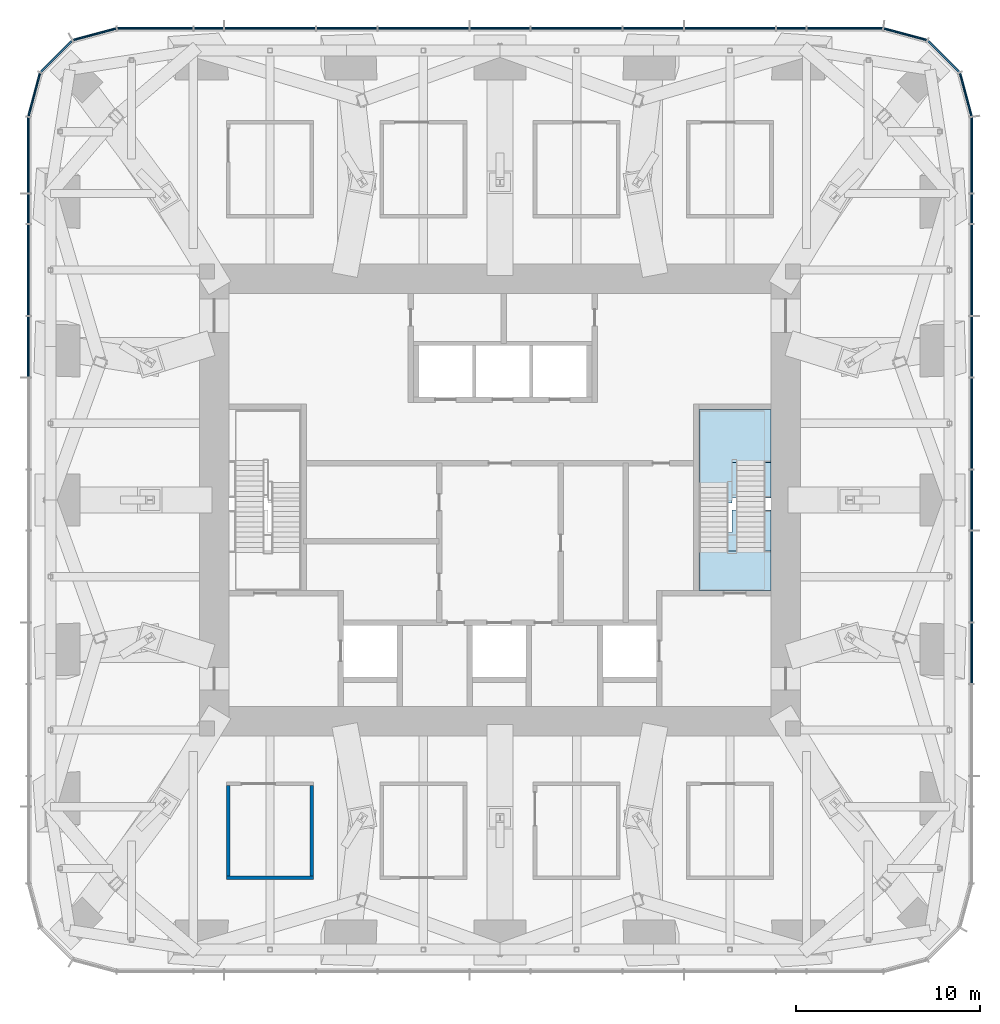
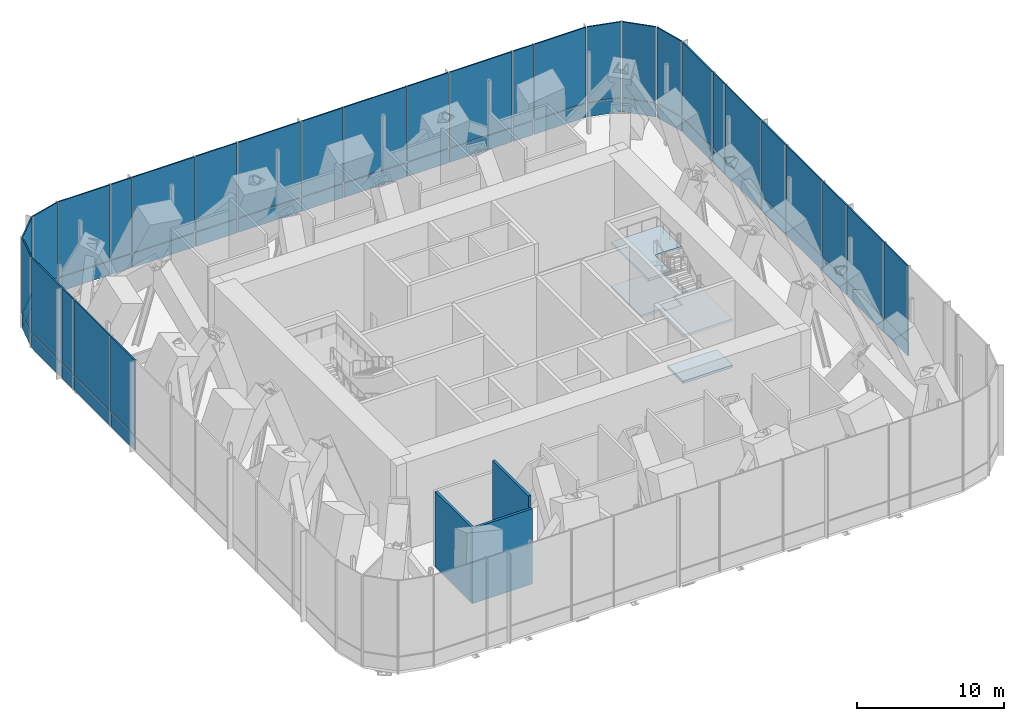
# One storey, part 11 of 16: 58 plates, 4 slabs, 3 walls, 6 elements without a shape of their own.
"""IFC4 building model written with IfcOpenShell, lengths in metres."""

from ifc_helpers import new_model, si_unit, direction, frame, frame_2d, origin, origin_2d, place, context, subcontext, project, spatial, polyline, rectangle, outline, extrude, material, layer, layer_set, type_object, element, aggregate, save


model = new_model("IFC4")

# Units and contexts
model_context = context("Model", 3, precision=1e-05, world=origin(), true_north=direction((0.0, 1.0)))
body_context = subcontext(model_context, "Body", "Model", "MODEL_VIEW")
ifc_project = project(units=[si_unit("LENGTHUNIT", "METRE"), si_unit("AREAUNIT", "SQUARE_METRE"), si_unit("VOLUMEUNIT", "CUBIC_METRE"), si_unit("PLANEANGLEUNIT", "RADIAN"), si_unit("MASSUNIT", "GRAM", prefix="KILO")], contexts=[model_context])

# Site, building, storey
site_placement = place(None, origin())
site = spatial("IfcSite", under=ifc_project, at=site_placement, CompositionType="ELEMENT")
building_placement = place(site_placement, origin())
building = spatial("IfcBuilding", under=site, at=building_placement, Name="Khuree Lantern Residences", CompositionType="ELEMENT")
storey_placement = place(building_placement, frame((0.0, 0.0, 278.25)))
storey = spatial("IfcBuildingStorey", under=building, at=storey_placement, Name="L70", CompositionType="ELEMENT", Elevation=278.25)

# Curtain wall, plates
ifc_material_1 = material(Name="Bronze anodised aluminium", Category="aluminium")
curtain_wall_type = type_object("IfcCurtainWallType", Name="CW-G PLANT STOREY LOUVRED CURTAIN WALL", PredefinedType="USERDEFINED", material=ifc_material_1)
curtain_wall_1_placement = place(storey_placement, origin())
curtain_wall_1 = element("IfcCurtainWall", 1, at=curtain_wall_1_placement, inside=storey, type_object=curtain_wall_type, Name="L70 EAST FACE CURTAIN WALL", ObjectType="Louvred curtain wall", PredefinedType="USERDEFINED")
ifc_material_2 = material(Name="Bronze anodised aluminium louvre blades", Category="aluminium")
ifc_layer_1 = layer(ifc_material_2, 0.10009765625)
ifc_layer_set_1 = layer_set([ifc_layer_1], Name="LOUVRE PANEL P5")
plate_type_1 = type_object("IfcPlateType", Name="LOUVRE PANEL P5", PredefinedType="CURTAIN_PANEL", material=ifc_layer_set_1)
plate_1_placement = place(storey_placement, frame((25.60009765625, -8.320068359375, 1.240234375), z_axis=(0.0, 0.0, 1.0), x_axis=(0.0, 1.0, 0.0)))
plate_1 = element("IfcPlate", 2, at=plate_1_placement, type_object=plate_type_1, Name="L70 EAST FACE PANEL 7.2", PredefinedType="CURTAIN_PANEL", context=body_context, shape_type="SweptSolid", body=[
    extrude(rectangle(XDim=3.248046875, YDim=0.10009765625, at=origin_2d()), origin(), (0.0, 0.0, 1.0), 6.260009765625),
])
plate_2_placement = place(storey_placement, frame((25.60009765625, -4.159912109375, 1.240234375), z_axis=(0.0, 0.0, 1.0), x_axis=(0.0, 1.0, 0.0)))
plate_2 = element("IfcPlate", 3, at=plate_2_placement, type_object=plate_type_1, Name="L70 EAST FACE PANEL 8.2", PredefinedType="CURTAIN_PANEL", context=body_context, shape_type="SweptSolid", body=[
    extrude(rectangle(XDim=4.912109375, YDim=0.10009765625, at=origin_2d()), origin(), (0.0, 0.0, 1.0), 6.260009765625),
])
plate_3_placement = place(storey_placement, frame((25.60009765625, 0.0, 1.240234375), z_axis=(0.0, 0.0, 1.0), x_axis=(0.0, 1.0, 0.0)))
plate_3 = element("IfcPlate", 4, at=plate_3_placement, type_object=plate_type_1, Name="L70 EAST FACE PANEL 9.2", PredefinedType="CURTAIN_PANEL", context=body_context, shape_type="SweptSolid", body=[
    extrude(rectangle(XDim=3.248046875, YDim=0.10009765625, at=origin_2d()), origin(), (0.0, 0.0, 1.0), 6.260009765625),
])
plate_4_placement = place(storey_placement, frame((25.60009765625, 4.159912109375, 1.240234375), z_axis=(0.0, 0.0, 1.0), x_axis=(0.0, 1.0, 0.0)))
plate_4 = element("IfcPlate", 5, at=plate_4_placement, type_object=plate_type_1, Name="L70 EAST FACE PANEL 10.2", PredefinedType="CURTAIN_PANEL", context=body_context, shape_type="SweptSolid", body=[
    extrude(rectangle(XDim=4.912109375, YDim=0.10009765625, at=origin_2d()), origin(), (0.0, 0.0, 1.0), 6.260009765625),
])
plate_5_placement = place(storey_placement, frame((25.60009765625, 8.320068359375, 1.240234375), z_axis=(0.0, 0.0, 1.0), x_axis=(0.0, 1.0, 0.0)))
plate_5 = element("IfcPlate", 6, at=plate_5_placement, type_object=plate_type_1, Name="L70 EAST FACE PANEL 11.2", PredefinedType="CURTAIN_PANEL", context=body_context, shape_type="SweptSolid", body=[
    extrude(rectangle(XDim=3.248046875, YDim=0.10009765625, at=origin_2d()), origin(), (0.0, 0.0, 1.0), 6.260009765625),
])
plate_6_placement = place(storey_placement, frame((25.60009765625, 12.47998046875, 1.240234375), z_axis=(0.0, 0.0, 1.0), x_axis=(0.0, 1.0, 0.0)))
plate_6 = element("IfcPlate", 7, at=plate_6_placement, type_object=plate_type_1, Name="L70 EAST FACE PANEL 12.2", PredefinedType="CURTAIN_PANEL", context=body_context, shape_type="SweptSolid", body=[
    extrude(rectangle(XDim=4.912109375, YDim=0.10009765625, at=origin_2d()), origin(), (0.0, 0.0, 1.0), 6.260009765625),
])
plate_7_placement = place(storey_placement, frame((25.60009765625, 15.80810546875, 1.240234375), z_axis=(0.0, 0.0, 1.0), x_axis=(0.0, 1.0, 0.0)))
plate_7 = element("IfcPlate", 8, at=plate_7_placement, type_object=plate_type_1, Name="L70 EAST FACE PANEL 13.2", PredefinedType="CURTAIN_PANEL", context=body_context, shape_type="SweptSolid", body=[
    extrude(rectangle(XDim=1.583984375, YDim=0.10009765625, at=origin_2d()), origin(), (0.0, 0.0, 1.0), 6.260009765625),
])
plate_8_placement = place(storey_placement, frame((25.60009765625, 18.716552734375, 1.240234375), z_axis=(0.0, 0.0, 1.0), x_axis=(0.0, 1.0, 0.0)))
plate_8 = element("IfcPlate", 9, at=plate_8_placement, type_object=plate_type_1, Name="L70 EAST FACE PANEL 14.2", PredefinedType="CURTAIN_PANEL", context=body_context, shape_type="SweptSolid", body=[
    extrude(rectangle(XDim=4.072998046875, YDim=0.10009765625, at=origin_2d()), origin(), (0.0, 0.0, 1.0), 6.260009765625),
])

curtain_wall_2_placement = place(storey_placement, origin())
curtain_wall_2 = element("IfcCurtainWall", 10, at=curtain_wall_2_placement, inside=storey, type_object=curtain_wall_type, Name="L70 NORTH-EAST CORNER CURTAIN WALL", ObjectType="Louvred curtain wall", PredefinedType="USERDEFINED")
plate_9_placement = place(storey_placement, frame((25.279541015625, 21.99609375, 1.240234375), z_axis=(0.0, 0.0, 1.0), x_axis=(-0.258819021888, 0.965925832509, 0.0)))
plate_9 = element("IfcPlate", 11, at=plate_9_placement, type_object=plate_type_1, Name="L70 NORTH-EAST CORNER PANEL 15.2", PredefinedType="CURTAIN_PANEL", context=body_context, shape_type="SweptSolid", body=[
    extrude(rectangle(XDim=2.3828125, YDim=0.10009765625, at=origin_2d()), origin(), (0.0, 0.0, 1.0), 6.260009765625),
])
plate_10_placement = place(storey_placement, frame((24.078369140625, 24.078369140625, 1.240234375), z_axis=(0.0, 0.0, 1.0), x_axis=(-0.707106781187, 0.707106781187, 0.0)))
plate_10 = element("IfcPlate", 12, at=plate_10_placement, type_object=plate_type_1, Name="L70 NORTH-EAST CORNER PANEL 16.2", PredefinedType="CURTAIN_PANEL", context=body_context, shape_type="SweptSolid", body=[
    extrude(rectangle(XDim=2.375, YDim=0.10009765625, at=origin_2d()), origin(), (0.0, 0.0, 1.0), 6.260009765625),
])
plate_11_placement = place(storey_placement, frame((21.99609375, 25.279541015625, 1.240234375), z_axis=(0.0, 0.0, 1.0), x_axis=(-0.965925832509, 0.258819021888, 0.0)))
plate_11 = element("IfcPlate", 13, at=plate_11_placement, type_object=plate_type_1, Name="L70 NORTH-EAST CORNER PANEL 17.2", PredefinedType="CURTAIN_PANEL", context=body_context, shape_type="SweptSolid", body=[
    extrude(rectangle(XDim=2.3828125, YDim=0.10009765625, at=origin_2d()), origin(), (0.0, 0.0, 1.0), 6.260009765625),
])

curtain_wall_3_placement = place(storey_placement, origin())
curtain_wall_3 = element("IfcCurtainWall", 14, at=curtain_wall_3_placement, inside=storey, type_object=curtain_wall_type, Name="L70 NORTH FACE CURTAIN WALL", ObjectType="Louvred curtain wall", PredefinedType="USERDEFINED")
plate_12_placement = place(storey_placement, frame((18.716552734375, 25.60009765625, 1.240234375), z_axis=(0.0, 0.0, 1.0), x_axis=(-1.0, 0.0, 0.0)))
plate_12 = element("IfcPlate", 15, at=plate_12_placement, type_object=plate_type_1, Name="L70 NORTH FACE PANEL 18.2", PredefinedType="CURTAIN_PANEL", context=body_context, shape_type="SweptSolid", body=[
    extrude(rectangle(XDim=4.072998046875, YDim=0.10009765625, at=origin_2d()), origin(), (0.0, 0.0, 1.0), 6.260009765625),
])
plate_13_placement = place(storey_placement, frame((15.80810546875, 25.60009765625, 1.240234375), z_axis=(0.0, 0.0, 1.0), x_axis=(-1.0, 0.0, 0.0)))
plate_13 = element("IfcPlate", 16, at=plate_13_placement, type_object=plate_type_1, Name="L70 NORTH FACE PANEL 19.2", PredefinedType="CURTAIN_PANEL", context=body_context, shape_type="SweptSolid", body=[
    extrude(rectangle(XDim=1.583984375, YDim=0.10009765625, at=origin_2d()), origin(), (0.0, 0.0, 1.0), 6.260009765625),
])
plate_14_placement = place(storey_placement, frame((12.47998046875, 25.60009765625, 1.240234375), z_axis=(0.0, 0.0, 1.0), x_axis=(-1.0, 0.0, 0.0)))
plate_14 = element("IfcPlate", 17, at=plate_14_placement, type_object=plate_type_1, Name="L70 NORTH FACE PANEL 20.2", PredefinedType="CURTAIN_PANEL", context=body_context, shape_type="SweptSolid", body=[
    extrude(rectangle(XDim=4.912109375, YDim=0.10009765625, at=origin_2d()), origin(), (0.0, 0.0, 1.0), 6.260009765625),
])
plate_15_placement = place(storey_placement, frame((8.320068359375, 25.60009765625, 1.240234375), z_axis=(0.0, 0.0, 1.0), x_axis=(-1.0, 0.0, 0.0)))
plate_15 = element("IfcPlate", 18, at=plate_15_placement, type_object=plate_type_1, Name="L70 NORTH FACE PANEL 21.2", PredefinedType="CURTAIN_PANEL", context=body_context, shape_type="SweptSolid", body=[
    extrude(rectangle(XDim=3.248046875, YDim=0.10009765625, at=origin_2d()), origin(), (0.0, 0.0, 1.0), 6.260009765625),
])
plate_16_placement = place(storey_placement, frame((4.159912109375, 25.60009765625, 1.240234375), z_axis=(0.0, 0.0, 1.0), x_axis=(-1.0, 0.0, 0.0)))
plate_16 = element("IfcPlate", 19, at=plate_16_placement, type_object=plate_type_1, Name="L70 NORTH FACE PANEL 22.2", PredefinedType="CURTAIN_PANEL", context=body_context, shape_type="SweptSolid", body=[
    extrude(rectangle(XDim=4.912109375, YDim=0.10009765625, at=origin_2d()), origin(), (0.0, 0.0, 1.0), 6.260009765625),
])
plate_17_placement = place(storey_placement, frame((0.0, 25.60009765625, 1.240234375), z_axis=(0.0, 0.0, 1.0), x_axis=(-1.0, 0.0, 0.0)))
plate_17 = element("IfcPlate", 20, at=plate_17_placement, type_object=plate_type_1, Name="L70 NORTH FACE PANEL 23.2", PredefinedType="CURTAIN_PANEL", context=body_context, shape_type="SweptSolid", body=[
    extrude(rectangle(XDim=3.248046875, YDim=0.10009765625, at=origin_2d()), origin(), (0.0, 0.0, 1.0), 6.260009765625),
])
plate_18_placement = place(storey_placement, frame((-4.159912109375, 25.60009765625, 1.240234375), z_axis=(0.0, 0.0, 1.0), x_axis=(-1.0, 0.0, 0.0)))
plate_18 = element("IfcPlate", 21, at=plate_18_placement, type_object=plate_type_1, Name="L70 NORTH FACE PANEL 24.2", PredefinedType="CURTAIN_PANEL", context=body_context, shape_type="SweptSolid", body=[
    extrude(rectangle(XDim=4.912109375, YDim=0.10009765625, at=origin_2d()), origin(), (0.0, 0.0, 1.0), 6.260009765625),
])
plate_19_placement = place(storey_placement, frame((-8.320068359375, 25.60009765625, 1.240234375), z_axis=(0.0, 0.0, 1.0), x_axis=(-1.0, 0.0, 0.0)))
plate_19 = element("IfcPlate", 22, at=plate_19_placement, type_object=plate_type_1, Name="L70 NORTH FACE PANEL 25.2", PredefinedType="CURTAIN_PANEL", context=body_context, shape_type="SweptSolid", body=[
    extrude(rectangle(XDim=3.248046875, YDim=0.10009765625, at=origin_2d()), origin(), (0.0, 0.0, 1.0), 6.260009765625),
])
plate_20_placement = place(storey_placement, frame((-12.47998046875, 25.60009765625, 1.240234375), z_axis=(0.0, 0.0, 1.0), x_axis=(-1.0, 0.0, 0.0)))
plate_20 = element("IfcPlate", 23, at=plate_20_placement, type_object=plate_type_1, Name="L70 NORTH FACE PANEL 26.2", PredefinedType="CURTAIN_PANEL", context=body_context, shape_type="SweptSolid", body=[
    extrude(rectangle(XDim=4.912109375, YDim=0.10009765625, at=origin_2d()), origin(), (0.0, 0.0, 1.0), 6.260009765625),
])
plate_21_placement = place(storey_placement, frame((-15.80810546875, 25.60009765625, 1.240234375), z_axis=(0.0, 0.0, 1.0), x_axis=(-1.0, 0.0, 0.0)))
plate_21 = element("IfcPlate", 24, at=plate_21_placement, type_object=plate_type_1, Name="L70 NORTH FACE PANEL 27.2", PredefinedType="CURTAIN_PANEL", context=body_context, shape_type="SweptSolid", body=[
    extrude(rectangle(XDim=1.583984375, YDim=0.10009765625, at=origin_2d()), origin(), (0.0, 0.0, 1.0), 6.260009765625),
])
plate_22_placement = place(storey_placement, frame((-18.716552734375, 25.60009765625, 1.240234375), z_axis=(0.0, 0.0, 1.0), x_axis=(-1.0, 0.0, 0.0)))
plate_22 = element("IfcPlate", 25, at=plate_22_placement, type_object=plate_type_1, Name="L70 NORTH FACE PANEL 28.2", PredefinedType="CURTAIN_PANEL", context=body_context, shape_type="SweptSolid", body=[
    extrude(rectangle(XDim=4.072998046875, YDim=0.10009765625, at=origin_2d()), origin(), (0.0, 0.0, 1.0), 6.260009765625),
])

curtain_wall_4_placement = place(storey_placement, origin())
curtain_wall_4 = element("IfcCurtainWall", 26, at=curtain_wall_4_placement, inside=storey, type_object=curtain_wall_type, Name="L70 NORTH-WEST CORNER CURTAIN WALL", ObjectType="Louvred curtain wall", PredefinedType="USERDEFINED")
plate_23_placement = place(storey_placement, frame((-21.99609375, 25.279541015625, 1.240234375), z_axis=(0.0, 0.0, 1.0), x_axis=(-0.965925832509, -0.258819021888, 0.0)))
plate_23 = element("IfcPlate", 27, at=plate_23_placement, type_object=plate_type_1, Name="L70 NORTH-WEST CORNER PANEL 29.2", PredefinedType="CURTAIN_PANEL", context=body_context, shape_type="SweptSolid", body=[
    extrude(rectangle(XDim=2.3828125, YDim=0.10009765625, at=origin_2d()), origin(), (0.0, 0.0, 1.0), 6.260009765625),
])
plate_24_placement = place(storey_placement, frame((-24.078369140625, 24.078369140625, 1.240234375), z_axis=(0.0, 0.0, 1.0), x_axis=(-0.707106781187, -0.707106781187, 0.0)))
plate_24 = element("IfcPlate", 28, at=plate_24_placement, type_object=plate_type_1, Name="L70 NORTH-WEST CORNER PANEL 30.2", PredefinedType="CURTAIN_PANEL", context=body_context, shape_type="SweptSolid", body=[
    extrude(rectangle(XDim=2.375, YDim=0.10009765625, at=origin_2d()), origin(), (0.0, 0.0, 1.0), 6.260009765625),
])
plate_25_placement = place(storey_placement, frame((-25.279541015625, 21.99609375, 1.240234375), z_axis=(0.0, 0.0, 1.0), x_axis=(-0.258819021888, -0.965925832509, 0.0)))
plate_25 = element("IfcPlate", 29, at=plate_25_placement, type_object=plate_type_1, Name="L70 NORTH-WEST CORNER PANEL 31.2", PredefinedType="CURTAIN_PANEL", context=body_context, shape_type="SweptSolid", body=[
    extrude(rectangle(XDim=2.3828125, YDim=0.10009765625, at=origin_2d()), origin(), (0.0, 0.0, 1.0), 6.260009765625),
])

curtain_wall_5_placement = place(storey_placement, origin())
curtain_wall_5 = element("IfcCurtainWall", 30, at=curtain_wall_5_placement, inside=storey, type_object=curtain_wall_type, Name="L70 WEST FACE CURTAIN WALL", ObjectType="Louvred curtain wall", PredefinedType="USERDEFINED")
plate_26_placement = place(storey_placement, frame((-25.60009765625, 18.716552734375, 1.240234375), z_axis=(0.0, 0.0, 1.0), x_axis=(0.0, -1.0, 0.0)))
plate_26 = element("IfcPlate", 31, at=plate_26_placement, type_object=plate_type_1, Name="L70 WEST FACE PANEL 32.2", PredefinedType="CURTAIN_PANEL", context=body_context, shape_type="SweptSolid", body=[
    extrude(rectangle(XDim=4.072998046875, YDim=0.10009765625, at=origin_2d()), origin(), (0.0, 0.0, 1.0), 6.260009765625),
])
plate_27_placement = place(storey_placement, frame((-25.60009765625, 15.80810546875, 1.240234375), z_axis=(0.0, 0.0, 1.0), x_axis=(0.0, -1.0, 0.0)))
plate_27 = element("IfcPlate", 32, at=plate_27_placement, type_object=plate_type_1, Name="L70 WEST FACE PANEL 33.2", PredefinedType="CURTAIN_PANEL", context=body_context, shape_type="SweptSolid", body=[
    extrude(rectangle(XDim=1.583984375, YDim=0.10009765625, at=origin_2d()), origin(), (0.0, 0.0, 1.0), 6.260009765625),
])
plate_28_placement = place(storey_placement, frame((-25.60009765625, 12.47998046875, 1.240234375), z_axis=(0.0, 0.0, 1.0), x_axis=(0.0, -1.0, 0.0)))
plate_28 = element("IfcPlate", 33, at=plate_28_placement, type_object=plate_type_1, Name="L70 WEST FACE PANEL 34.2", PredefinedType="CURTAIN_PANEL", context=body_context, shape_type="SweptSolid", body=[
    extrude(rectangle(XDim=4.912109375, YDim=0.10009765625, at=origin_2d()), origin(), (0.0, 0.0, 1.0), 6.260009765625),
])
plate_29_placement = place(storey_placement, frame((-25.60009765625, 8.320068359375, 1.240234375), z_axis=(0.0, 0.0, 1.0), x_axis=(0.0, -1.0, 0.0)))
plate_29 = element("IfcPlate", 34, at=plate_29_placement, type_object=plate_type_1, Name="L70 WEST FACE PANEL 35.2", PredefinedType="CURTAIN_PANEL", context=body_context, shape_type="SweptSolid", body=[
    extrude(rectangle(XDim=3.248046875, YDim=0.10009765625, at=origin_2d()), origin(), (0.0, 0.0, 1.0), 6.260009765625),
])

# Plate
ifc_material_3 = material(Name="Bronze anodised aluminium insulated spandrel", Category="aluminium")
ifc_layer_2 = layer(ifc_material_3, 0.080078125)
ifc_layer_set_2 = layer_set([ifc_layer_2], Name="PLANT SPANDREL PANEL P6")
plate_type_2 = type_object("IfcPlateType", Name="PLANT SPANDREL PANEL P6", PredefinedType="CURTAIN_PANEL", material=ifc_layer_set_2)
plate_30_placement = place(storey_placement, frame((25.60009765625, -8.320068359375, 0.0), z_axis=(0.0, 0.0, 1.0), x_axis=(0.0, 1.0, 0.0)))
plate_30 = element("IfcPlate", 35, at=plate_30_placement, type_object=plate_type_2, Name="L70 EAST FACE PANEL 7.1", PredefinedType="CURTAIN_PANEL", context=body_context, shape_type="SweptSolid", body=[
    extrude(rectangle(XDim=3.248046875, YDim=0.080078125, at=origin_2d()), origin(), (0.0, 0.0, 1.0), 1.159912109375),
])

plate_31_placement = place(storey_placement, frame((25.60009765625, -4.159912109375, 0.0), z_axis=(0.0, 0.0, 1.0), x_axis=(0.0, 1.0, 0.0)))
plate_31 = element("IfcPlate", 36, at=plate_31_placement, type_object=plate_type_2, Name="L70 EAST FACE PANEL 8.1", PredefinedType="CURTAIN_PANEL", context=body_context, shape_type="SweptSolid", body=[
    extrude(rectangle(XDim=4.912109375, YDim=0.080078125, at=origin_2d()), origin(), (0.0, 0.0, 1.0), 1.159912109375),
])

plate_32_placement = place(storey_placement, frame((25.60009765625, 0.0, 0.0), z_axis=(0.0, 0.0, 1.0), x_axis=(0.0, 1.0, 0.0)))
plate_32 = element("IfcPlate", 37, at=plate_32_placement, type_object=plate_type_2, Name="L70 EAST FACE PANEL 9.1", PredefinedType="CURTAIN_PANEL", context=body_context, shape_type="SweptSolid", body=[
    extrude(rectangle(XDim=3.248046875, YDim=0.080078125, at=origin_2d()), origin(), (0.0, 0.0, 1.0), 1.159912109375),
])

plate_33_placement = place(storey_placement, frame((25.60009765625, 4.159912109375, 0.0), z_axis=(0.0, 0.0, 1.0), x_axis=(0.0, 1.0, 0.0)))
plate_33 = element("IfcPlate", 38, at=plate_33_placement, type_object=plate_type_2, Name="L70 EAST FACE PANEL 10.1", PredefinedType="CURTAIN_PANEL", context=body_context, shape_type="SweptSolid", body=[
    extrude(rectangle(XDim=4.912109375, YDim=0.080078125, at=origin_2d()), origin(), (0.0, 0.0, 1.0), 1.159912109375),
])

plate_34_placement = place(storey_placement, frame((25.60009765625, 8.320068359375, 0.0), z_axis=(0.0, 0.0, 1.0), x_axis=(0.0, 1.0, 0.0)))
plate_34 = element("IfcPlate", 39, at=plate_34_placement, type_object=plate_type_2, Name="L70 EAST FACE PANEL 11.1", PredefinedType="CURTAIN_PANEL", context=body_context, shape_type="SweptSolid", body=[
    extrude(rectangle(XDim=3.248046875, YDim=0.080078125, at=origin_2d()), origin(), (0.0, 0.0, 1.0), 1.159912109375),
])

plate_35_placement = place(storey_placement, frame((25.60009765625, 12.47998046875, 0.0), z_axis=(0.0, 0.0, 1.0), x_axis=(0.0, 1.0, 0.0)))
plate_35 = element("IfcPlate", 40, at=plate_35_placement, type_object=plate_type_2, Name="L70 EAST FACE PANEL 12.1", PredefinedType="CURTAIN_PANEL", context=body_context, shape_type="SweptSolid", body=[
    extrude(rectangle(XDim=4.912109375, YDim=0.080078125, at=origin_2d()), origin(), (0.0, 0.0, 1.0), 1.159912109375),
])

plate_36_placement = place(storey_placement, frame((25.60009765625, 15.80810546875, 0.0), z_axis=(0.0, 0.0, 1.0), x_axis=(0.0, 1.0, 0.0)))
plate_36 = element("IfcPlate", 41, at=plate_36_placement, type_object=plate_type_2, Name="L70 EAST FACE PANEL 13.1", PredefinedType="CURTAIN_PANEL", context=body_context, shape_type="SweptSolid", body=[
    extrude(rectangle(XDim=1.583984375, YDim=0.080078125, at=origin_2d()), origin(), (0.0, 0.0, 1.0), 1.159912109375),
])

plate_37_placement = place(storey_placement, frame((25.60009765625, 18.71728515625, 0.0), z_axis=(0.0, 0.0, 1.0), x_axis=(0.0, 1.0, 0.0)))
plate_37 = element("IfcPlate", 42, at=plate_37_placement, type_object=plate_type_2, Name="L70 EAST FACE PANEL 14.1", PredefinedType="CURTAIN_PANEL", context=body_context, shape_type="SweptSolid", body=[
    extrude(rectangle(XDim=4.074462890625, YDim=0.080078125, at=origin_2d()), origin(), (0.0, 0.0, 1.0), 1.159912109375),
])

aggregate(curtain_wall_1, [plate_30, plate_1, plate_31, plate_2, plate_32, plate_3, plate_33, plate_4, plate_34, plate_5, plate_35, plate_6, plate_36, plate_7, plate_37, plate_8])

plate_38_placement = place(storey_placement, frame((25.279296875, 21.996826171875, 0.0), z_axis=(0.0, 0.0, 1.0), x_axis=(-0.258819021888, 0.965925832509, 0.0)))
plate_38 = element("IfcPlate", 43, at=plate_38_placement, type_object=plate_type_2, Name="L70 NORTH-EAST CORNER PANEL 15.1", PredefinedType="CURTAIN_PANEL", context=body_context, shape_type="SweptSolid", body=[
    extrude(rectangle(XDim=2.386962890625, YDim=0.080078125, at=origin_2d()), origin(), (0.0, 0.0, 1.0), 1.159912109375),
])

plate_39_placement = place(storey_placement, frame((24.078369140625, 24.078369140625, 0.0), z_axis=(0.0, 0.0, 1.0), x_axis=(-0.707106781187, 0.707106781187, 0.0)))
plate_39 = element("IfcPlate", 44, at=plate_39_placement, type_object=plate_type_2, Name="L70 NORTH-EAST CORNER PANEL 16.1", PredefinedType="CURTAIN_PANEL", context=body_context, shape_type="SweptSolid", body=[
    extrude(rectangle(XDim=2.38037109375, YDim=0.080078125, at=origin_2d()), origin(), (0.0, 0.0, 1.0), 1.159912109375),
])

plate_40_placement = place(storey_placement, frame((21.996826171875, 25.279296875, 0.0), z_axis=(0.0, 0.0, 1.0), x_axis=(-0.965925832509, 0.258819021888, 0.0)))
plate_40 = element("IfcPlate", 45, at=plate_40_placement, type_object=plate_type_2, Name="L70 NORTH-EAST CORNER PANEL 17.1", PredefinedType="CURTAIN_PANEL", context=body_context, shape_type="SweptSolid", body=[
    extrude(rectangle(XDim=2.386962890625, YDim=0.080078125, at=origin_2d()), origin(), (0.0, 0.0, 1.0), 1.159912109375),
])

aggregate(curtain_wall_2, [plate_38, plate_9, plate_39, plate_10, plate_40, plate_11])

plate_41_placement = place(storey_placement, frame((18.71728515625, 25.60009765625, 0.0), z_axis=(0.0, 0.0, 1.0), x_axis=(-1.0, 0.0, 0.0)))
plate_41 = element("IfcPlate", 46, at=plate_41_placement, type_object=plate_type_2, Name="L70 NORTH FACE PANEL 18.1", PredefinedType="CURTAIN_PANEL", context=body_context, shape_type="SweptSolid", body=[
    extrude(rectangle(XDim=4.074462890625, YDim=0.080078125, at=origin_2d()), origin(), (0.0, 0.0, 1.0), 1.159912109375),
])

plate_42_placement = place(storey_placement, frame((15.80810546875, 25.60009765625, 0.0), z_axis=(0.0, 0.0, 1.0), x_axis=(-1.0, 0.0, 0.0)))
plate_42 = element("IfcPlate", 47, at=plate_42_placement, type_object=plate_type_2, Name="L70 NORTH FACE PANEL 19.1", PredefinedType="CURTAIN_PANEL", context=body_context, shape_type="SweptSolid", body=[
    extrude(rectangle(XDim=1.583984375, YDim=0.080078125, at=origin_2d()), origin(), (0.0, 0.0, 1.0), 1.159912109375),
])

plate_43_placement = place(storey_placement, frame((12.47998046875, 25.60009765625, 0.0), z_axis=(0.0, 0.0, 1.0), x_axis=(-1.0, 0.0, 0.0)))
plate_43 = element("IfcPlate", 48, at=plate_43_placement, type_object=plate_type_2, Name="L70 NORTH FACE PANEL 20.1", PredefinedType="CURTAIN_PANEL", context=body_context, shape_type="SweptSolid", body=[
    extrude(rectangle(XDim=4.912109375, YDim=0.080078125, at=origin_2d()), origin(), (0.0, 0.0, 1.0), 1.159912109375),
])

plate_44_placement = place(storey_placement, frame((8.320068359375, 25.60009765625, 0.0), z_axis=(0.0, 0.0, 1.0), x_axis=(-1.0, 0.0, 0.0)))
plate_44 = element("IfcPlate", 49, at=plate_44_placement, type_object=plate_type_2, Name="L70 NORTH FACE PANEL 21.1", PredefinedType="CURTAIN_PANEL", context=body_context, shape_type="SweptSolid", body=[
    extrude(rectangle(XDim=3.248046875, YDim=0.080078125, at=origin_2d()), origin(), (0.0, 0.0, 1.0), 1.159912109375),
])

plate_45_placement = place(storey_placement, frame((4.159912109375, 25.60009765625, 0.0), z_axis=(0.0, 0.0, 1.0), x_axis=(-1.0, 0.0, 0.0)))
plate_45 = element("IfcPlate", 50, at=plate_45_placement, type_object=plate_type_2, Name="L70 NORTH FACE PANEL 22.1", PredefinedType="CURTAIN_PANEL", context=body_context, shape_type="SweptSolid", body=[
    extrude(rectangle(XDim=4.912109375, YDim=0.080078125, at=origin_2d()), origin(), (0.0, 0.0, 1.0), 1.159912109375),
])

plate_46_placement = place(storey_placement, frame((0.0, 25.60009765625, 0.0), z_axis=(0.0, 0.0, 1.0), x_axis=(-1.0, 0.0, 0.0)))
plate_46 = element("IfcPlate", 51, at=plate_46_placement, type_object=plate_type_2, Name="L70 NORTH FACE PANEL 23.1", PredefinedType="CURTAIN_PANEL", context=body_context, shape_type="SweptSolid", body=[
    extrude(rectangle(XDim=3.248046875, YDim=0.080078125, at=origin_2d()), origin(), (0.0, 0.0, 1.0), 1.159912109375),
])

plate_47_placement = place(storey_placement, frame((-4.159912109375, 25.60009765625, 0.0), z_axis=(0.0, 0.0, 1.0), x_axis=(-1.0, 0.0, 0.0)))
plate_47 = element("IfcPlate", 52, at=plate_47_placement, type_object=plate_type_2, Name="L70 NORTH FACE PANEL 24.1", PredefinedType="CURTAIN_PANEL", context=body_context, shape_type="SweptSolid", body=[
    extrude(rectangle(XDim=4.912109375, YDim=0.080078125, at=origin_2d()), origin(), (0.0, 0.0, 1.0), 1.159912109375),
])

plate_48_placement = place(storey_placement, frame((-8.320068359375, 25.60009765625, 0.0), z_axis=(0.0, 0.0, 1.0), x_axis=(-1.0, 0.0, 0.0)))
plate_48 = element("IfcPlate", 53, at=plate_48_placement, type_object=plate_type_2, Name="L70 NORTH FACE PANEL 25.1", PredefinedType="CURTAIN_PANEL", context=body_context, shape_type="SweptSolid", body=[
    extrude(rectangle(XDim=3.248046875, YDim=0.080078125, at=origin_2d()), origin(), (0.0, 0.0, 1.0), 1.159912109375),
])

plate_49_placement = place(storey_placement, frame((-12.47998046875, 25.60009765625, 0.0), z_axis=(0.0, 0.0, 1.0), x_axis=(-1.0, 0.0, 0.0)))
plate_49 = element("IfcPlate", 54, at=plate_49_placement, type_object=plate_type_2, Name="L70 NORTH FACE PANEL 26.1", PredefinedType="CURTAIN_PANEL", context=body_context, shape_type="SweptSolid", body=[
    extrude(rectangle(XDim=4.912109375, YDim=0.080078125, at=origin_2d()), origin(), (0.0, 0.0, 1.0), 1.159912109375),
])

plate_50_placement = place(storey_placement, frame((-15.80810546875, 25.60009765625, 0.0), z_axis=(0.0, 0.0, 1.0), x_axis=(-1.0, 0.0, 0.0)))
plate_50 = element("IfcPlate", 55, at=plate_50_placement, type_object=plate_type_2, Name="L70 NORTH FACE PANEL 27.1", PredefinedType="CURTAIN_PANEL", context=body_context, shape_type="SweptSolid", body=[
    extrude(rectangle(XDim=1.583984375, YDim=0.080078125, at=origin_2d()), origin(), (0.0, 0.0, 1.0), 1.159912109375),
])

plate_51_placement = place(storey_placement, frame((-18.71728515625, 25.60009765625, 0.0), z_axis=(0.0, 0.0, 1.0), x_axis=(-1.0, 0.0, 0.0)))
plate_51 = element("IfcPlate", 56, at=plate_51_placement, type_object=plate_type_2, Name="L70 NORTH FACE PANEL 28.1", PredefinedType="CURTAIN_PANEL", context=body_context, shape_type="SweptSolid", body=[
    extrude(rectangle(XDim=4.074462890625, YDim=0.080078125, at=origin_2d()), origin(), (0.0, 0.0, 1.0), 1.159912109375),
])

aggregate(curtain_wall_3, [plate_41, plate_12, plate_42, plate_13, plate_43, plate_14, plate_44, plate_15, plate_45, plate_16, plate_46, plate_17, plate_47, plate_18, plate_48, plate_19, plate_49, plate_20, plate_50, plate_21, plate_51, plate_22])

plate_52_placement = place(storey_placement, frame((-21.996826171875, 25.279296875, 0.0), z_axis=(0.0, 0.0, 1.0), x_axis=(-0.965925832509, -0.258819021888, 0.0)))
plate_52 = element("IfcPlate", 57, at=plate_52_placement, type_object=plate_type_2, Name="L70 NORTH-WEST CORNER PANEL 29.1", PredefinedType="CURTAIN_PANEL", context=body_context, shape_type="SweptSolid", body=[
    extrude(rectangle(XDim=2.386962890625, YDim=0.080078125, at=origin_2d()), origin(), (0.0, 0.0, 1.0), 1.159912109375),
])

plate_53_placement = place(storey_placement, frame((-24.078369140625, 24.078369140625, 0.0), z_axis=(0.0, 0.0, 1.0), x_axis=(-0.707106781187, -0.707106781187, 0.0)))
plate_53 = element("IfcPlate", 58, at=plate_53_placement, type_object=plate_type_2, Name="L70 NORTH-WEST CORNER PANEL 30.1", PredefinedType="CURTAIN_PANEL", context=body_context, shape_type="SweptSolid", body=[
    extrude(rectangle(XDim=2.38037109375, YDim=0.080078125, at=origin_2d()), origin(), (0.0, 0.0, 1.0), 1.159912109375),
])

plate_54_placement = place(storey_placement, frame((-25.279296875, 21.996826171875, 0.0), z_axis=(0.0, 0.0, 1.0), x_axis=(-0.258819021888, -0.965925832509, 0.0)))
plate_54 = element("IfcPlate", 59, at=plate_54_placement, type_object=plate_type_2, Name="L70 NORTH-WEST CORNER PANEL 31.1", PredefinedType="CURTAIN_PANEL", context=body_context, shape_type="SweptSolid", body=[
    extrude(rectangle(XDim=2.386962890625, YDim=0.080078125, at=origin_2d()), origin(), (0.0, 0.0, 1.0), 1.159912109375),
])

aggregate(curtain_wall_4, [plate_52, plate_23, plate_53, plate_24, plate_54, plate_25])

plate_55_placement = place(storey_placement, frame((-25.60009765625, 18.71728515625, 0.0), z_axis=(0.0, 0.0, 1.0), x_axis=(0.0, -1.0, 0.0)))
plate_55 = element("IfcPlate", 60, at=plate_55_placement, type_object=plate_type_2, Name="L70 WEST FACE PANEL 32.1", PredefinedType="CURTAIN_PANEL", context=body_context, shape_type="SweptSolid", body=[
    extrude(rectangle(XDim=4.074462890625, YDim=0.080078125, at=origin_2d()), origin(), (0.0, 0.0, 1.0), 1.159912109375),
])

plate_56_placement = place(storey_placement, frame((-25.60009765625, 15.80810546875, 0.0), z_axis=(0.0, 0.0, 1.0), x_axis=(0.0, -1.0, 0.0)))
plate_56 = element("IfcPlate", 61, at=plate_56_placement, type_object=plate_type_2, Name="L70 WEST FACE PANEL 33.1", PredefinedType="CURTAIN_PANEL", context=body_context, shape_type="SweptSolid", body=[
    extrude(rectangle(XDim=1.583984375, YDim=0.080078125, at=origin_2d()), origin(), (0.0, 0.0, 1.0), 1.159912109375),
])

plate_57_placement = place(storey_placement, frame((-25.60009765625, 12.47998046875, 0.0), z_axis=(0.0, 0.0, 1.0), x_axis=(0.0, -1.0, 0.0)))
plate_57 = element("IfcPlate", 62, at=plate_57_placement, type_object=plate_type_2, Name="L70 WEST FACE PANEL 34.1", PredefinedType="CURTAIN_PANEL", context=body_context, shape_type="SweptSolid", body=[
    extrude(rectangle(XDim=4.912109375, YDim=0.080078125, at=origin_2d()), origin(), (0.0, 0.0, 1.0), 1.159912109375),
])

plate_58_placement = place(storey_placement, frame((-25.60009765625, 8.320068359375, 0.0), z_axis=(0.0, 0.0, 1.0), x_axis=(0.0, -1.0, 0.0)))
plate_58 = element("IfcPlate", 63, at=plate_58_placement, type_object=plate_type_2, Name="L70 WEST FACE PANEL 35.1", PredefinedType="CURTAIN_PANEL", context=body_context, shape_type="SweptSolid", body=[
    extrude(rectangle(XDim=3.248046875, YDim=0.080078125, at=origin_2d()), origin(), (0.0, 0.0, 1.0), 1.159912109375),
])

aggregate(curtain_wall_5, [plate_55, plate_26, plate_56, plate_27, plate_57, plate_28, plate_58, plate_29])

# Stair, slabs
ifc_material_4 = material(Name="Concrete C40/50", Category="concrete")
stair_type = type_object("IfcStairType", Name="STAIR ST1 HALF TURN 3600", PredefinedType="HALF_TURN_STAIR", material=ifc_material_4)
stair_placement = place(storey_placement, origin())
stair = element("IfcStair", 64, at=stair_placement, inside=storey, type_object=stair_type, Name="Stair ST2", PredefinedType="HALF_TURN_STAIR")
ifc_layer_3 = layer(ifc_material_4, 0.199951171875)
ifc_layer_set_3 = layer_set([ifc_layer_3], Name="STAIR LANDING SL1 200")
slab_type = type_object("IfcSlabType", Name="STAIR LANDING SL1 200", PredefinedType="LANDING", material=ifc_layer_set_3)
slab_1_placement = place(storey_placement, frame((0.0, 0.0, -0.199951171875)))
slab_1 = element("IfcSlab", 65, at=slab_1_placement, type_object=slab_type, Name="ST2 landing 1", PredefinedType="LANDING", context=body_context, shape_type="SweptSolid", body=[
    extrude(outline(polyline([(10.800048828125, -4.89990234375), (14.699951171875, -4.89990234375), (14.699951171875, -2.760009765625), (10.800048828125, -2.760009765625), (10.800048828125, -4.89990234375)])), origin(), (0.0, 0.0, 1.0), 0.199951171875),
])
slab_2_placement = place(storey_placement, frame((0.0, 0.0, 1.800048828125)))
slab_2 = element("IfcSlab", 66, at=slab_2_placement, type_object=slab_type, Name="ST2 landing 2", PredefinedType="LANDING", context=body_context, shape_type="SweptSolid", body=[
    extrude(outline(polyline([(14.699951171875, 4.89990234375), (14.699951171875, 0.1201171875), (12.60009765625, 0.1201171875), (12.60009765625, 0.85009765625), (10.800048828125, 0.85009765625), (10.800048828125, 4.89990234375), (14.699951171875, 4.89990234375)])), origin(), (0.0, 0.0, 1.0), 0.199951171875),
])
slab_3_placement = place(storey_placement, frame((0.0, 0.0, 3.63330078125)))
slab_3 = element("IfcSlab", 67, at=slab_3_placement, type_object=slab_type, Name="ST2 landing 3", PredefinedType="LANDING", context=body_context, shape_type="SweptSolid", body=[
    extrude(outline(polyline([(14.699951171875, -4.89990234375), (10.800048828125, -4.89990234375), (10.800048828125, -1.75), (12.60009765625, -1.75), (12.60009765625, -0.550048828125), (14.699951171875, -0.550048828125), (14.699951171875, -4.89990234375)])), origin(), (0.0, 0.0, 1.0), 0.199951171875),
])
slab_4_placement = place(storey_placement, frame((0.0, 0.0, 5.466552734375)))
slab_4 = element("IfcSlab", 68, at=slab_4_placement, type_object=slab_type, Name="ST2 landing 4", PredefinedType="LANDING", context=body_context, shape_type="SweptSolid", body=[
    extrude(outline(polyline([(12.60009765625, -0.159912109375), (10.800048828125, -0.159912109375), (10.800048828125, 4.89990234375), (14.699951171875, 4.89990234375), (14.699951171875, 2.050048828125), (12.60009765625, 2.050048828125), (12.60009765625, -0.159912109375)])), origin(), (0.0, 0.0, 1.0), 0.2001953125),
])
aggregate(stair, [slab_1, slab_2, slab_3, slab_4])

# Walls
ifc_material_5 = material(Name="Dense concrete blockwork", Category="masonry")
ifc_layer_4 = layer(ifc_material_5, 0.199951171875)
ifc_layer_set_4 = layer_set([ifc_layer_4], Name="FIRE-RATED ROOM WALL FRW200 EI 120")
wall_type = type_object("IfcWallType", Name="FIRE-RATED ROOM WALL FRW200 EI 120", PredefinedType="SOLIDWALL", material=ifc_layer_set_4)
wall_1_placement = place(storey_placement, frame((-14.840087890625, -20.5, 0.0), z_axis=(0.0, 0.0, 1.0), x_axis=(1.0, 0.0, 0.0)))
element("IfcWall", 69, at=wall_1_placement, inside=storey, type_object=wall_type, Name="L70 ROOM WALL 1", PredefinedType="SOLIDWALL", context=body_context, shape_type="SweptSolid", body=[
    extrude(rectangle(XDim=4.719970703125, YDim=0.199951171875, at=frame_2d((2.35986328125, 0.0))), origin(), (0.0, 0.0, 1.0), 6.25),
])
wall_2_placement = place(storey_placement, frame((-14.739990234375, -20.39990234375, 0.0), z_axis=(0.0, 0.0, 1.0), x_axis=(0.0, 1.0, 0.0)))
element("IfcWall", 70, at=wall_2_placement, inside=storey, type_object=wall_type, Name="L70 ROOM WALL 5", PredefinedType="SOLIDWALL", context=body_context, shape_type="SweptSolid", body=[
    extrude(rectangle(XDim=4.89990234375, YDim=0.199951171875, at=frame_2d((2.449951171875, 0.0))), origin(), (0.0, 0.0, 1.0), 6.25),
])
wall_3_placement = place(storey_placement, frame((-10.219970703125, -20.39990234375, 0.0), z_axis=(0.0, 0.0, 1.0), x_axis=(0.0, 1.0, 0.0)))
element("IfcWall", 71, at=wall_3_placement, inside=storey, type_object=wall_type, Name="L70 ROOM WALL 6", PredefinedType="SOLIDWALL", context=body_context, shape_type="SweptSolid", body=[
    extrude(rectangle(XDim=4.89990234375, YDim=0.199951171875, at=frame_2d((2.449951171875, 0.0))), origin(), (0.0, 0.0, 1.0), 7.25),
])

save(model, "model.ifc")
